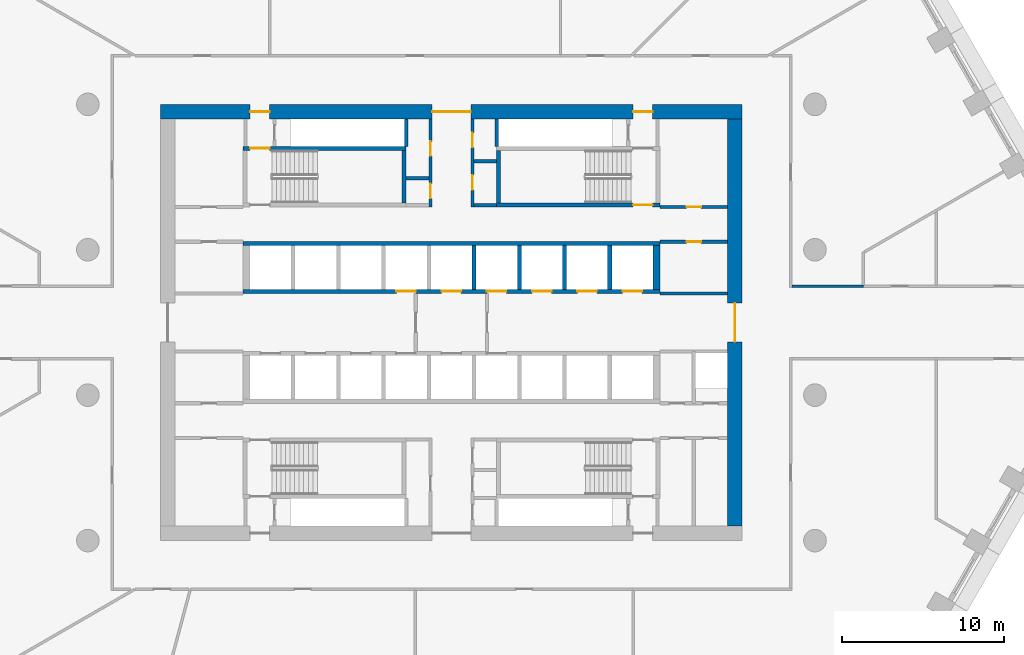
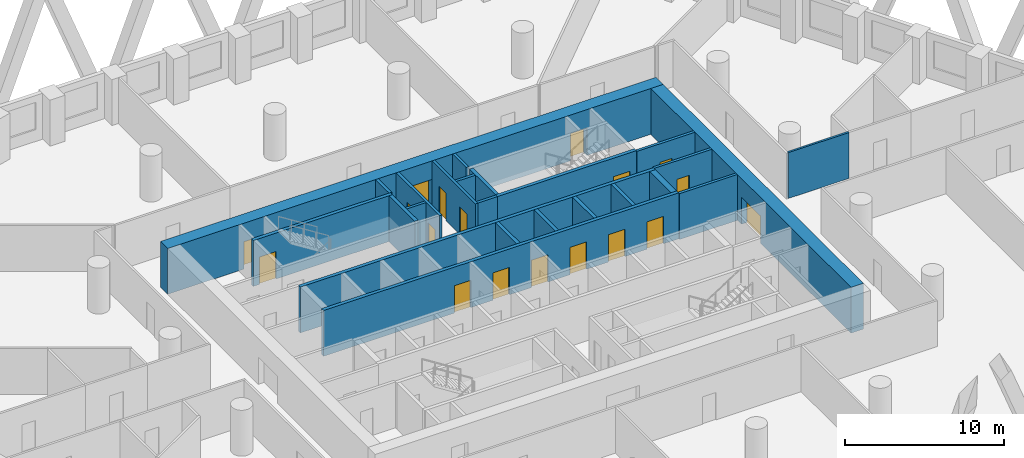
# One storey, part 6 of 18: 24 walls, 18 doors, 18 openings.
"""IFC4 building model written with IfcOpenShell, lengths in metres."""

from ifc_helpers import new_model, si_unit, direction, frame, frame_2d, origin, place, context, subcontext, project, spatial, polyline, rectangle, outline, extrude, material, layer, layer_set, type_object, element, fill, save


model = new_model("IFC4")

# Units and contexts
model_context = context("Model", 3, precision=1e-05, world=origin(), true_north=direction((0.0, 1.0)))
body_context = subcontext(model_context, "Body", "Model", "MODEL_VIEW")
ifc_project = project(units=[si_unit("LENGTHUNIT", "METRE"), si_unit("AREAUNIT", "SQUARE_METRE"), si_unit("VOLUMEUNIT", "CUBIC_METRE"), si_unit("PLANEANGLEUNIT", "RADIAN"), si_unit("MASSUNIT", "GRAM", prefix="KILO")], contexts=[model_context])

# Site, building, storey
site_placement = place(None, origin())
site = spatial("IfcSite", under=ifc_project, at=site_placement, CompositionType="ELEMENT")
building_placement = place(site_placement, origin())
building = spatial("IfcBuilding", under=site, at=building_placement, Name="Dhurran Vertical Campus", CompositionType="ELEMENT")
storey_placement = place(building_placement, frame((0.0, 0.0, 30.0)))
storey = spatial("IfcBuildingStorey", under=building, at=storey_placement, Name="L06", CompositionType="ELEMENT", Elevation=30.0)

# Wall, openings, doors
ifc_material_1 = material(Name="Concrete C60/75", Category="concrete")
ifc_layer_1 = layer(ifc_material_1, 0.89990234375)
ifc_layer_set_1 = layer_set([ifc_layer_1], Name="Concrete C60/75")
wall_type_1 = type_object("IfcWallType", Name="co-CORE-WALL-C0-900", PredefinedType="SHEAR", material=ifc_layer_set_1)
wall_1_placement = place(storey_placement, frame((-18.0, 13.050048828125, 0.0), z_axis=(0.0, 0.0, 1.0), x_axis=(1.0, 0.0, 0.0)))
wall_1 = element("IfcWall", 1, at=wall_1_placement, inside=storey, type_object=wall_type_1, Name="Core wall N L06", PredefinedType="SHEAR", context=body_context, shape_type="SweptSolid", body=[
    extrude(rectangle(XDim=36.0, YDim=0.89990234375, at=frame_2d((18.0, 0.0))), origin(), (0.0, 0.0, 1.0), 3.52490234375),
])
opening_1_placement = place(wall_1_placement, frame((16.800048828125, 0.0, 0.0)))
opening_1 = element("IfcOpeningElement", 2, at=opening_1_placement, cuts=wall_1, Name="Opening CV1", PredefinedType="OPENING", context=body_context, shape_type="SweptSolid", body=[
    extrude(rectangle(XDim=2.39990234375, YDim=2.10009765625, at=frame_2d((1.199951171875, 1.050048828125))), frame((0.0, 0.4599609375, 0.0), z_axis=(0.0, -1.0, 0.0), x_axis=(1.0, 0.0, 0.0)), (0.0, 0.0, 1.0), 0.919921875),
])
opening_2_placement = place(wall_1_placement, frame((5.550048828125, 0.0, 0.0)))
opening_2 = element("IfcOpeningElement", 3, at=opening_2_placement, cuts=wall_1, Name="Opening XD1", PredefinedType="OPENING", context=body_context, shape_type="SweptSolid", body=[
    extrude(rectangle(XDim=1.199951171875, YDim=2.10009765625, at=frame_2d((0.60009765625, 1.050048828125))), frame((0.0, 0.4599609375, 0.0), z_axis=(0.0, -1.0, 0.0), x_axis=(1.0, 0.0, 0.0)), (0.0, 0.0, 1.0), 0.919921875),
])
opening_3_placement = place(wall_1_placement, frame((29.25, 0.0, 0.0)))
opening_3 = element("IfcOpeningElement", 4, at=opening_3_placement, cuts=wall_1, Name="Opening XD2", PredefinedType="OPENING", context=body_context, shape_type="SweptSolid", body=[
    extrude(rectangle(XDim=1.199951171875, YDim=2.10009765625, at=frame_2d((0.60009765625, 1.050048828125))), frame((0.0, 0.4599609375, 0.0), z_axis=(0.0, -1.0, 0.0), x_axis=(1.0, 0.0, 0.0)), (0.0, 0.0, 1.0), 0.919921875),
])
ifc_material_2 = material(Name="Fire-rated glazed door set")
door_type_1 = type_object("IfcDoorType", Name="co-D-LOBBY 2400x2100", OperationType="DOUBLE_DOOR_DOUBLE_SWING", PredefinedType="DOOR", material=ifc_material_2)
door_1_placement = place(opening_1_placement, origin())
door_1 = element("IfcDoor", 5, at=door_1_placement, inside=storey, type_object=door_type_1, Name="Core vestibule door N L06", OperationType="DOUBLE_DOOR_DOUBLE_SWING", OverallHeight=2.10009765625, OverallWidth=2.39990234375, PredefinedType="DOOR", context=body_context, shape_type="SweptSolid", body=[
    extrude(rectangle(XDim=2.39990234375, YDim=2.10009765625, at=frame_2d((1.199951171875, 1.050048828125))), frame((0.0, 0.02490234375, 0.0), z_axis=(0.0, -1.0, 0.0), x_axis=(1.0, 0.0, 0.0)), (0.0, 0.0, 1.0), 0.050048828125),
])
fill(opening_1, door_1)
ifc_material_3 = material(Name="Fire-rated steel door set", Category="steel")
door_type_2 = type_object("IfcDoorType", Name="co-D-STAIR-EXIT 1200x2100", OperationType="SINGLE_SWING_RIGHT", PredefinedType="DOOR", material=ifc_material_3)
door_2_placement = place(opening_2_placement, origin())
door_2 = element("IfcDoor", 6, at=door_2_placement, inside=storey, type_object=door_type_2, Name="Stair ST1 exit door L06", OperationType="SINGLE_SWING_RIGHT", OverallHeight=2.10009765625, OverallWidth=1.199951171875, PredefinedType="DOOR", context=body_context, shape_type="SweptSolid", body=[
    extrude(rectangle(XDim=1.199951171875, YDim=2.10009765625, at=frame_2d((0.60009765625, 1.050048828125))), frame((0.0, 0.02490234375, 0.0), z_axis=(0.0, -1.0, 0.0), x_axis=(1.0, 0.0, 0.0)), (0.0, 0.0, 1.0), 0.050048828125),
])
fill(opening_2, door_2)
door_3_placement = place(opening_3_placement, origin())
door_3 = element("IfcDoor", 7, at=door_3_placement, inside=storey, type_object=door_type_2, Name="Stair ST2 exit door L06", OperationType="SINGLE_SWING_RIGHT", OverallHeight=2.10009765625, OverallWidth=1.199951171875, PredefinedType="DOOR", context=body_context, shape_type="SweptSolid", body=[
    extrude(rectangle(XDim=1.199951171875, YDim=2.10009765625, at=frame_2d((0.60009765625, 1.050048828125))), frame((0.0, 0.02490234375, 0.0), z_axis=(0.0, -1.0, 0.0), x_axis=(1.0, 0.0, 0.0)), (0.0, 0.0, 1.0), 0.050048828125),
])
fill(opening_3, door_3)

# Wall, opening, door
wall_2_placement = place(storey_placement, frame((17.550048828125, -12.60009765625, 0.0), z_axis=(0.0, 0.0, 1.0), x_axis=(0.0, 1.0, 0.0)))
wall_2 = element("IfcWall", 8, at=wall_2_placement, inside=storey, type_object=wall_type_1, Name="Core wall E L06", PredefinedType="SHEAR", context=body_context, shape_type="SweptSolid", body=[
    extrude(rectangle(XDim=25.2001953125, YDim=0.89990234375, at=frame_2d((12.60009765625, 0.0))), origin(), (0.0, 0.0, 1.0), 3.52490234375),
])
opening_4_placement = place(wall_2_placement, frame((11.39990234375, 0.0, 0.0)))
opening_4 = element("IfcOpeningElement", 9, at=opening_4_placement, cuts=wall_2, Name="Opening CL2", PredefinedType="OPENING", context=body_context, shape_type="SweptSolid", body=[
    extrude(rectangle(XDim=2.39990234375, YDim=2.10009765625, at=frame_2d((1.199951171875, 1.050048828125))), frame((0.0, 0.4599609375, 0.0), z_axis=(0.0, -1.0, 0.0), x_axis=(1.0, 0.0, 0.0)), (0.0, 0.0, 1.0), 0.919921875),
])
door_4_placement = place(opening_4_placement, origin())
door_4 = element("IfcDoor", 10, at=door_4_placement, inside=storey, type_object=door_type_1, Name="Lift lobby door E L06", OperationType="DOUBLE_DOOR_DOUBLE_SWING", OverallHeight=2.10009765625, OverallWidth=2.39990234375, PredefinedType="DOOR", context=body_context, shape_type="SweptSolid", body=[
    extrude(rectangle(XDim=2.39990234375, YDim=2.10009765625, at=frame_2d((1.199951171875, 1.050048828125))), frame((0.0, 0.02490234375, 0.0), z_axis=(0.0, -1.0, 0.0), x_axis=(1.0, 0.0, 0.0)), (0.0, 0.0, 1.0), 0.050048828125),
])
fill(opening_4, door_4)

# Walls
ifc_material_4 = material(Name="Fire-rated masonry blockwork", Category="masonry")
ifc_layer_2 = layer(ifc_material_4, 0.199951171875)
ifc_layer_set_2 = layer_set([ifc_layer_2], Name="Fire-rated masonry blockwork")
wall_type_2 = type_object("IfcWallType", Name="co-FIRE-PARTITION-200", PredefinedType="PARTITIONING", material=ifc_layer_set_2)
for number, where, z_axis, x_axis, name in (
    (11, (-2.800048828125, 8.925048828125, 0.0), (0.0, 0.0, 1.0), (1.0, 0.0, 0.0), "Core partition sl-NW-cut0 L06"),
    (12, (1.39990234375, 7.25, 0.0), (0.0, 0.0, 1.0), (1.0, 0.0, 0.0), "Core partition sl-NE-S L06"),
    (13, (1.39990234375, 9.97509765625, 0.0), (0.0, 0.0, 1.0), (1.0, 0.0, 0.0), "Core partition sl-NE-cut0 L06"),
):
    element("IfcWall", number, at=place(storey_placement, frame(where, z_axis=z_axis, x_axis=x_axis)), inside=storey, type_object=wall_type_2, Name=name, PredefinedType="PARTITIONING", context=body_context, shape_type="SweptSolid", body=[
        extrude(rectangle(XDim=1.400146484375, YDim=0.199951171875, at=frame_2d((0.7001953125, 0.0))), origin(), (0.0, 0.0, 1.0), 3.52490234375),
    ])

# Wall, openings, doors
wall_3_placement = place(storey_placement, frame((-1.300048828125, 7.14990234375, 0.0), z_axis=(0.0, 0.0, 1.0), x_axis=(0.0, 1.0, 0.0)))
wall_3 = element("IfcWall", 14, at=wall_3_placement, inside=storey, type_object=wall_type_2, Name="Core partition vest-NW L06", PredefinedType="PARTITIONING", context=body_context, shape_type="SweptSolid", body=[
    extrude(rectangle(XDim=5.4501953125, YDim=0.199951171875, at=frame_2d((2.72509765625, 0.0))), origin(), (0.0, 0.0, 1.0), 3.52490234375),
])
opening_5_placement = place(wall_3_placement, frame((0.53759765625, 0.0, 0.0)))
opening_5 = element("IfcOpeningElement", 15, at=opening_5_placement, cuts=wall_3, Name="Opening T01-C5", PredefinedType="OPENING", context=body_context, shape_type="SweptSolid", body=[
    extrude(rectangle(XDim=0.89990234375, YDim=2.10009765625, at=frame_2d((0.449951171875, 1.050048828125))), frame((0.0, 0.10986328125, 0.0), z_axis=(0.0, -1.0, 0.0), x_axis=(1.0, 0.0, 0.0)), (0.0, 0.0, 1.0), 0.219970703125),
])
opening_6_placement = place(wall_3_placement, frame((3.16259765625, 0.0, 0.0)))
opening_6 = element("IfcOpeningElement", 16, at=opening_6_placement, cuts=wall_3, Name="Opening T01-C6", PredefinedType="OPENING", context=body_context, shape_type="SweptSolid", body=[
    extrude(rectangle(XDim=0.89990234375, YDim=2.10009765625, at=frame_2d((0.449951171875, 1.050048828125))), frame((0.0, 0.10986328125, 0.0), z_axis=(0.0, -1.0, 0.0), x_axis=(1.0, 0.0, 0.0)), (0.0, 0.0, 1.0), 0.219970703125),
])
ifc_material_5 = material(Name="Fire-rated timber door set", Category="wood")
door_type_3 = type_object("IfcDoorType", Name="co-D-ROOM 900x2100", OperationType="SINGLE_SWING_LEFT", PredefinedType="DOOR", material=ifc_material_5)
door_5_placement = place(opening_5_placement, origin())
door_5 = element("IfcDoor", 17, at=door_5_placement, inside=storey, type_object=door_type_3, Name="Cleaner's store door L06", OperationType="SINGLE_SWING_LEFT", OverallHeight=2.10009765625, OverallWidth=0.89990234375, PredefinedType="DOOR", context=body_context, shape_type="SweptSolid", body=[
    extrude(rectangle(XDim=0.89990234375, YDim=2.10009765625, at=frame_2d((0.449951171875, 1.050048828125))), frame((0.0, 0.02490234375, 0.0), z_axis=(0.0, -1.0, 0.0), x_axis=(1.0, 0.0, 0.0)), (0.0, 0.0, 1.0), 0.050048828125),
])
fill(opening_5, door_5)
door_6_placement = place(opening_6_placement, origin())
door_6 = element("IfcDoor", 18, at=door_6_placement, inside=storey, type_object=door_type_3, Name="Server room door L06", OperationType="SINGLE_SWING_LEFT", OverallHeight=2.10009765625, OverallWidth=0.89990234375, PredefinedType="DOOR", context=body_context, shape_type="SweptSolid", body=[
    extrude(rectangle(XDim=0.89990234375, YDim=2.10009765625, at=frame_2d((0.449951171875, 1.050048828125))), frame((0.0, 0.02490234375, 0.0), z_axis=(0.0, -1.0, 0.0), x_axis=(1.0, 0.0, 0.0)), (0.0, 0.0, 1.0), 0.050048828125),
])
fill(opening_6, door_6)

wall_4_placement = place(storey_placement, frame((1.300048828125, 7.14990234375, 0.0), z_axis=(0.0, 0.0, 1.0), x_axis=(0.0, 1.0, 0.0)))
wall_4 = element("IfcWall", 19, at=wall_4_placement, inside=storey, type_object=wall_type_2, Name="Core partition vest-NE L06", PredefinedType="PARTITIONING", context=body_context, shape_type="SweptSolid", body=[
    extrude(rectangle(XDim=5.4501953125, YDim=0.199951171875, at=frame_2d((2.72509765625, 0.0))), origin(), (0.0, 0.0, 1.0), 3.52490234375),
])
opening_7_placement = place(wall_4_placement, frame((1.0625, 0.0, 0.0)))
opening_7 = element("IfcOpeningElement", 20, at=opening_7_placement, cuts=wall_4, Name="Opening T01-C7", PredefinedType="OPENING", context=body_context, shape_type="SweptSolid", body=[
    extrude(rectangle(XDim=0.89990234375, YDim=2.10009765625, at=frame_2d((0.449951171875, 1.050048828125))), frame((0.0, 0.10986328125, 0.0), z_axis=(0.0, -1.0, 0.0), x_axis=(1.0, 0.0, 0.0)), (0.0, 0.0, 1.0), 0.219970703125),
])
opening_8_placement = place(wall_4_placement, frame((3.6875, 0.0, 0.0)))
opening_8 = element("IfcOpeningElement", 21, at=opening_8_placement, cuts=wall_4, Name="Opening T01-C8", PredefinedType="OPENING", context=body_context, shape_type="SweptSolid", body=[
    extrude(rectangle(XDim=0.89990234375, YDim=2.10009765625, at=frame_2d((0.449951171875, 1.050048828125))), frame((0.0, 0.10986328125, 0.0), z_axis=(0.0, -1.0, 0.0), x_axis=(1.0, 0.0, 0.0)), (0.0, 0.0, 1.0), 0.219970703125),
])
door_7_placement = place(opening_7_placement, origin())
door_7 = element("IfcDoor", 22, at=door_7_placement, inside=storey, type_object=door_type_3, Name="Print room door L06", OperationType="SINGLE_SWING_LEFT", OverallHeight=2.10009765625, OverallWidth=0.89990234375, PredefinedType="DOOR", context=body_context, shape_type="SweptSolid", body=[
    extrude(rectangle(XDim=0.89990234375, YDim=2.10009765625, at=frame_2d((0.449951171875, 1.050048828125))), frame((0.0, 0.02490234375, 0.0), z_axis=(0.0, -1.0, 0.0), x_axis=(1.0, 0.0, 0.0)), (0.0, 0.0, 1.0), 0.050048828125),
])
fill(opening_7, door_7)
door_8_placement = place(opening_8_placement, origin())
door_8 = element("IfcDoor", 23, at=door_8_placement, inside=storey, type_object=door_type_3, Name="Electrical riser door L06", OperationType="SINGLE_SWING_LEFT", OverallHeight=2.10009765625, OverallWidth=0.89990234375, PredefinedType="DOOR", context=body_context, shape_type="SweptSolid", body=[
    extrude(rectangle(XDim=0.89990234375, YDim=2.10009765625, at=frame_2d((0.449951171875, 1.050048828125))), frame((0.0, 0.02490234375, 0.0), z_axis=(0.0, -1.0, 0.0), x_axis=(1.0, 0.0, 0.0)), (0.0, 0.0, 1.0), 0.050048828125),
])
fill(opening_8, door_8)

# Wall, opening, door
wall_5_placement = place(storey_placement, frame((12.89990234375, 7.14990234375, 0.0), z_axis=(0.0, 0.0, 1.0), x_axis=(1.0, 0.0, 0.0)))
wall_5 = element("IfcWall", 24, at=wall_5_placement, inside=storey, type_object=wall_type_2, Name="Core partition en-NE-w L06", PredefinedType="PARTITIONING", context=body_context, shape_type="SweptSolid", body=[
    extrude(rectangle(XDim=4.2001953125, YDim=0.199951171875, at=frame_2d((2.10009765625, 0.0))), origin(), (0.0, 0.0, 1.0), 3.52490234375),
])
opening_9_placement = place(wall_5_placement, frame((1.64990234375, 0.0, 0.0)))
opening_9 = element("IfcOpeningElement", 25, at=opening_9_placement, cuts=wall_5, Name="Opening T01-C15", PredefinedType="OPENING", context=body_context, shape_type="SweptSolid", body=[
    extrude(rectangle(XDim=0.89990234375, YDim=2.10009765625, at=frame_2d((0.449951171875, 1.050048828125))), frame((0.0, 0.10986328125, 0.0), z_axis=(0.0, -1.0, 0.0), x_axis=(1.0, 0.0, 0.0)), (0.0, 0.0, 1.0), 0.219970703125),
])
door_9_placement = place(opening_9_placement, origin())
door_9 = element("IfcDoor", 26, at=door_9_placement, inside=storey, type_object=door_type_3, Name="Plant room door L06", OperationType="SINGLE_SWING_LEFT", OverallHeight=2.10009765625, OverallWidth=0.89990234375, PredefinedType="DOOR", context=body_context, shape_type="SweptSolid", body=[
    extrude(rectangle(XDim=0.89990234375, YDim=2.10009765625, at=frame_2d((0.449951171875, 1.050048828125))), frame((0.0, 0.02490234375, 0.0), z_axis=(0.0, -1.0, 0.0), x_axis=(1.0, 0.0, 0.0)), (0.0, 0.0, 1.0), 0.050048828125),
])
fill(opening_9, door_9)

wall_6_placement = place(storey_placement, frame((12.89990234375, 5.0, 0.0), z_axis=(0.0, 0.0, 1.0), x_axis=(1.0, 0.0, 0.0)))
wall_6 = element("IfcWall", 27, at=wall_6_placement, inside=storey, type_object=wall_type_2, Name="Core partition es-NE-w L06", PredefinedType="PARTITIONING", context=body_context, shape_type="SweptSolid", body=[
    extrude(rectangle(XDim=4.2001953125, YDim=0.199951171875, at=frame_2d((2.10009765625, 0.0))), origin(), (0.0, 0.0, 1.0), 3.52490234375),
])
opening_10_placement = place(wall_6_placement, frame((1.64990234375, 0.0, 0.0)))
opening_10 = element("IfcOpeningElement", 28, at=opening_10_placement, cuts=wall_6, Name="Opening T01-C16", PredefinedType="OPENING", context=body_context, shape_type="SweptSolid", body=[
    extrude(rectangle(XDim=0.89990234375, YDim=2.10009765625, at=frame_2d((0.449951171875, 1.050048828125))), frame((0.0, 0.10986328125, 0.0), z_axis=(0.0, -1.0, 0.0), x_axis=(1.0, 0.0, 0.0)), (0.0, 0.0, 1.0), 0.219970703125),
])
door_10_placement = place(opening_10_placement, origin())
door_10 = element("IfcDoor", 29, at=door_10_placement, inside=storey, type_object=door_type_3, Name="Store door L06", OperationType="SINGLE_SWING_LEFT", OverallHeight=2.10009765625, OverallWidth=0.89990234375, PredefinedType="DOOR", context=body_context, shape_type="SweptSolid", body=[
    extrude(rectangle(XDim=0.89990234375, YDim=2.10009765625, at=frame_2d((0.449951171875, 1.050048828125))), frame((0.0, 0.02490234375, 0.0), z_axis=(0.0, -1.0, 0.0), x_axis=(1.0, 0.0, 0.0)), (0.0, 0.0, 1.0), 0.050048828125),
])
fill(opening_10, door_10)

# Walls
wall_7_placement = place(storey_placement, frame((12.89990234375, 1.800048828125, 0.0), z_axis=(0.0, 0.0, 1.0), x_axis=(1.0, 0.0, 0.0)))
element("IfcWall", 30, at=wall_7_placement, inside=storey, type_object=wall_type_2, Name="Core partition es-NE-l L06", PredefinedType="PARTITIONING", context=body_context, shape_type="SweptSolid", body=[
    extrude(rectangle(XDim=4.2001953125, YDim=0.199951171875, at=frame_2d((2.10009765625, 0.0))), origin(), (0.0, 0.0, 1.0), 3.52490234375),
])
for number, where, z_axis, x_axis, name in (
    (31, (-2.800048828125, 10.90087890625, 0.0), (0.0, 0.0, 1.0), (0.0, 1.0, 0.0), "Riser enclosure wall L06"),
    (32, (2.800048828125, 10.90087890625, 0.0), (0.0, 0.0, 1.0), (0.0, 1.0, 0.0), "Riser enclosure wall L06"),
):
    element("IfcWall", number, at=place(storey_placement, frame(where, z_axis=z_axis, x_axis=x_axis)), inside=storey, type_object=wall_type_2, Name=name, PredefinedType="PARTITIONING", context=body_context, shape_type="SweptSolid", body=[
        extrude(rectangle(XDim=1.6982421875, YDim=0.199951171875, at=frame_2d((0.84912109375, 0.0))), origin(), (0.0, 0.0, 1.0), 3.52490234375),
    ])

# Wall, openings, doors
ifc_material_6 = material(Name="Concrete C50/60", Category="concrete")
ifc_layer_3 = layer(ifc_material_6, 0.25)
ifc_layer_set_3 = layer_set([ifc_layer_3], Name="Concrete C50/60")
wall_type_3 = type_object("IfcWallType", Name="co-SHAFT-FRONT-250", PredefinedType="SHEAR", material=ifc_layer_set_3)
wall_8_placement = place(storey_placement, frame((-12.89990234375, 1.925048828125, 0.0), z_axis=(0.0, 0.0, 1.0), x_axis=(1.0, 0.0, 0.0)))
wall_8 = element("IfcWall", 33, at=wall_8_placement, inside=storey, type_object=wall_type_3, Name="Lift landing wall N L06", PredefinedType="SHEAR", context=body_context, shape_type="SweptSolid", body=[
    extrude(rectangle(XDim=25.7998046875, YDim=0.25, at=frame_2d((12.89990234375, 0.0))), origin(), (0.0, 0.0, 1.0), 3.52490234375),
])
opening_11_placement = place(wall_8_placement, frame((9.5, 0.0, 0.0)))
opening_11 = element("IfcOpeningElement", 34, at=opening_11_placement, cuts=wall_8, Name="Opening LD", PredefinedType="OPENING", context=body_context, shape_type="SweptSolid", body=[
    extrude(rectangle(XDim=1.199951171875, YDim=2.10009765625, at=frame_2d((0.60009765625, 1.050048828125))), frame((0.0, 0.135009765625, 0.0), z_axis=(0.0, -1.0, 0.0), x_axis=(1.0, 0.0, 0.0)), (0.0, 0.0, 1.0), 0.27001953125),
])
opening_12_placement = place(wall_8_placement, frame((12.300048828125, 0.0, 0.0)))
opening_12 = element("IfcOpeningElement", 35, at=opening_12_placement, cuts=wall_8, Name="Opening LD", PredefinedType="OPENING", context=body_context, shape_type="SweptSolid", body=[
    extrude(rectangle(XDim=1.199951171875, YDim=2.10009765625, at=frame_2d((0.60009765625, 1.050048828125))), frame((0.0, 0.135009765625, 0.0), z_axis=(0.0, -1.0, 0.0), x_axis=(1.0, 0.0, 0.0)), (0.0, 0.0, 1.0), 0.27001953125),
])
opening_13_placement = place(wall_8_placement, frame((15.10009765625, 0.0, 0.0)))
opening_13 = element("IfcOpeningElement", 36, at=opening_13_placement, cuts=wall_8, Name="Opening LD", PredefinedType="OPENING", context=body_context, shape_type="SweptSolid", body=[
    extrude(rectangle(XDim=1.199951171875, YDim=2.10009765625, at=frame_2d((0.60009765625, 1.050048828125))), frame((0.0, 0.135009765625, 0.0), z_axis=(0.0, -1.0, 0.0), x_axis=(1.0, 0.0, 0.0)), (0.0, 0.0, 1.0), 0.27001953125),
])
opening_14_placement = place(wall_8_placement, frame((17.89990234375, 0.0, 0.0)))
opening_14 = element("IfcOpeningElement", 37, at=opening_14_placement, cuts=wall_8, Name="Opening LD", PredefinedType="OPENING", context=body_context, shape_type="SweptSolid", body=[
    extrude(rectangle(XDim=1.199951171875, YDim=2.10009765625, at=frame_2d((0.60009765625, 1.050048828125))), frame((0.0, 0.135009765625, 0.0), z_axis=(0.0, -1.0, 0.0), x_axis=(1.0, 0.0, 0.0)), (0.0, 0.0, 1.0), 0.27001953125),
])
opening_15_placement = place(wall_8_placement, frame((20.699951171875, 0.0, 0.0)))
opening_15 = element("IfcOpeningElement", 38, at=opening_15_placement, cuts=wall_8, Name="Opening LD", PredefinedType="OPENING", context=body_context, shape_type="SweptSolid", body=[
    extrude(rectangle(XDim=1.199951171875, YDim=2.10009765625, at=frame_2d((0.60009765625, 1.050048828125))), frame((0.0, 0.135009765625, 0.0), z_axis=(0.0, -1.0, 0.0), x_axis=(1.0, 0.0, 0.0)), (0.0, 0.0, 1.0), 0.27001953125),
])
opening_16_placement = place(wall_8_placement, frame((23.5, 0.0, 0.0)))
opening_16 = element("IfcOpeningElement", 39, at=opening_16_placement, cuts=wall_8, Name="Opening LD", PredefinedType="OPENING", context=body_context, shape_type="SweptSolid", body=[
    extrude(rectangle(XDim=1.199951171875, YDim=2.10009765625, at=frame_2d((0.60009765625, 1.050048828125))), frame((0.0, 0.135009765625, 0.0), z_axis=(0.0, -1.0, 0.0), x_axis=(1.0, 0.0, 0.0)), (0.0, 0.0, 1.0), 0.27001953125),
])
ifc_material_7 = material(Name="Stainless steel landing door", Category="steel")
door_type_4 = type_object("IfcDoorType", Name="co-D-LANDING 1200x2100", OperationType="DOUBLE_DOOR_SLIDING", PredefinedType="DOOR", material=ifc_material_7)
door_11_placement = place(opening_11_placement, origin())
door_11 = element("IfcDoor", 40, at=door_11_placement, inside=storey, type_object=door_type_4, Name="Landing door LR1 L06", OperationType="DOUBLE_DOOR_SLIDING", OverallHeight=2.10009765625, OverallWidth=1.199951171875, PredefinedType="DOOR", context=body_context, shape_type="SweptSolid", body=[
    extrude(rectangle(XDim=1.199951171875, YDim=2.10009765625, at=frame_2d((0.60009765625, 1.050048828125))), frame((0.0, 0.02490234375, 0.0), z_axis=(0.0, -1.0, 0.0), x_axis=(1.0, 0.0, 0.0)), (0.0, 0.0, 1.0), 0.050048828125),
])
fill(opening_11, door_11)
door_12_placement = place(opening_12_placement, origin())
door_12 = element("IfcDoor", 41, at=door_12_placement, inside=storey, type_object=door_type_4, Name="Landing door FF1 L06", OperationType="DOUBLE_DOOR_SLIDING", OverallHeight=2.10009765625, OverallWidth=1.199951171875, PredefinedType="DOOR", context=body_context, shape_type="SweptSolid", body=[
    extrude(rectangle(XDim=1.199951171875, YDim=2.10009765625, at=frame_2d((0.60009765625, 1.050048828125))), frame((0.0, 0.02490234375, 0.0), z_axis=(0.0, -1.0, 0.0), x_axis=(1.0, 0.0, 0.0)), (0.0, 0.0, 1.0), 0.050048828125),
])
fill(opening_12, door_12)
door_13_placement = place(opening_13_placement, origin())
door_13 = element("IfcDoor", 42, at=door_13_placement, inside=storey, type_object=door_type_4, Name="Landing door LR2 L06", OperationType="DOUBLE_DOOR_SLIDING", OverallHeight=2.10009765625, OverallWidth=1.199951171875, PredefinedType="DOOR", context=body_context, shape_type="SweptSolid", body=[
    extrude(rectangle(XDim=1.199951171875, YDim=2.10009765625, at=frame_2d((0.60009765625, 1.050048828125))), frame((0.0, 0.02490234375, 0.0), z_axis=(0.0, -1.0, 0.0), x_axis=(1.0, 0.0, 0.0)), (0.0, 0.0, 1.0), 0.050048828125),
])
fill(opening_13, door_13)
door_14_placement = place(opening_14_placement, origin())
door_14 = element("IfcDoor", 43, at=door_14_placement, inside=storey, type_object=door_type_4, Name="Landing door LR3 L06", OperationType="DOUBLE_DOOR_SLIDING", OverallHeight=2.10009765625, OverallWidth=1.199951171875, PredefinedType="DOOR", context=body_context, shape_type="SweptSolid", body=[
    extrude(rectangle(XDim=1.199951171875, YDim=2.10009765625, at=frame_2d((0.60009765625, 1.050048828125))), frame((0.0, 0.02490234375, 0.0), z_axis=(0.0, -1.0, 0.0), x_axis=(1.0, 0.0, 0.0)), (0.0, 0.0, 1.0), 0.050048828125),
])
fill(opening_14, door_14)
door_15_placement = place(opening_15_placement, origin())
door_15 = element("IfcDoor", 44, at=door_15_placement, inside=storey, type_object=door_type_4, Name="Landing door LR4 L06", OperationType="DOUBLE_DOOR_SLIDING", OverallHeight=2.10009765625, OverallWidth=1.199951171875, PredefinedType="DOOR", context=body_context, shape_type="SweptSolid", body=[
    extrude(rectangle(XDim=1.199951171875, YDim=2.10009765625, at=frame_2d((0.60009765625, 1.050048828125))), frame((0.0, 0.02490234375, 0.0), z_axis=(0.0, -1.0, 0.0), x_axis=(1.0, 0.0, 0.0)), (0.0, 0.0, 1.0), 0.050048828125),
])
fill(opening_15, door_15)
door_16_placement = place(opening_16_placement, origin())
door_16 = element("IfcDoor", 45, at=door_16_placement, inside=storey, type_object=door_type_4, Name="Landing door SV2 L06", OperationType="DOUBLE_DOOR_SLIDING", OverallHeight=2.10009765625, OverallWidth=1.199951171875, PredefinedType="DOOR", context=body_context, shape_type="SweptSolid", body=[
    extrude(rectangle(XDim=1.199951171875, YDim=2.10009765625, at=frame_2d((0.60009765625, 1.050048828125))), frame((0.0, 0.02490234375, 0.0), z_axis=(0.0, -1.0, 0.0), x_axis=(1.0, 0.0, 0.0)), (0.0, 0.0, 1.0), 0.050048828125),
])
fill(opening_16, door_16)

# Walls
ifc_material_8 = material(Name="Concrete C50/60", Category="concrete")
ifc_layer_4 = layer(ifc_material_8, 0.25)
ifc_layer_set_4 = layer_set([ifc_layer_4], Name="Concrete C50/60")
wall_type_4 = type_object("IfcWallType", Name="co-SHAFT-MASS-250", PredefinedType="SHEAR", material=ifc_layer_set_4)
wall_9_placement = place(storey_placement, origin())
element("IfcWall", 46, at=wall_9_placement, inside=storey, type_object=wall_type_4, Name="Lift shaft wall N L06 1", PredefinedType="SHEAR", context=body_context, shape_type="SweptSolid", body=[
    extrude(outline(polyline([(-12.89990234375, 4.75), (12.89990234375, 4.75), (12.89990234375, 5.0), (-12.89990234375, 5.0), (-12.89990234375, 4.75)])), origin(), (0.0, 0.0, 1.0), 3.52490234375),
])
wall_10_placement = place(storey_placement, origin())
element("IfcWall", 47, at=wall_10_placement, inside=storey, type_object=wall_type_4, Name="Lift shaft wall N L06 7", PredefinedType="SHEAR", context=body_context, shape_type="SweptSolid", body=[
    extrude(outline(polyline([(1.27490234375, 2.050048828125), (1.52490234375, 2.050048828125), (1.52490234375, 4.75), (1.27490234375, 4.75), (1.27490234375, 2.050048828125)])), origin(), (0.0, 0.0, 1.0), 3.52490234375),
])
wall_11_placement = place(storey_placement, origin())
element("IfcWall", 48, at=wall_11_placement, inside=storey, type_object=wall_type_4, Name="Lift shaft wall N L06 8", PredefinedType="SHEAR", context=body_context, shape_type="SweptSolid", body=[
    extrude(outline(polyline([(4.074951171875, 2.050048828125), (4.324951171875, 2.050048828125), (4.324951171875, 4.75), (4.074951171875, 4.75), (4.074951171875, 2.050048828125)])), origin(), (0.0, 0.0, 1.0), 3.52490234375),
])
wall_12_placement = place(storey_placement, origin())
element("IfcWall", 49, at=wall_12_placement, inside=storey, type_object=wall_type_4, Name="Lift shaft wall N L06 9", PredefinedType="SHEAR", context=body_context, shape_type="SweptSolid", body=[
    extrude(outline(polyline([(6.875, 2.050048828125), (7.125, 2.050048828125), (7.125, 4.75), (6.875, 4.75), (6.875, 2.050048828125)])), origin(), (0.0, 0.0, 1.0), 3.52490234375),
])
wall_13_placement = place(storey_placement, origin())
element("IfcWall", 50, at=wall_13_placement, inside=storey, type_object=wall_type_4, Name="Lift shaft wall N L06 10", PredefinedType="SHEAR", context=body_context, shape_type="SweptSolid", body=[
    extrude(outline(polyline([(9.675048828125, 2.050048828125), (9.925048828125, 2.050048828125), (9.925048828125, 4.75), (9.675048828125, 4.75), (9.675048828125, 2.050048828125)])), origin(), (0.0, 0.0, 1.0), 3.52490234375),
])
wall_14_placement = place(storey_placement, origin())
element("IfcWall", 51, at=wall_14_placement, inside=storey, type_object=wall_type_4, Name="Lift shaft wall N L06 11", PredefinedType="SHEAR", context=body_context, shape_type="SweptSolid", body=[
    extrude(outline(polyline([(12.47509765625, 2.050048828125), (12.89990234375, 2.050048828125), (12.89990234375, 4.75), (12.47509765625, 4.75), (12.47509765625, 2.050048828125)])), origin(), (0.0, 0.0, 1.0), 3.52490234375),
])

# Wall, opening, door
ifc_material_9 = material(Name="Concrete C40/50", Category="concrete")
ifc_layer_5 = layer(ifc_material_9, 0.25)
ifc_layer_set_5 = layer_set([ifc_layer_5], Name="Concrete C40/50")
wall_type_5 = type_object("IfcWallType", Name="co-STAIR-WALL-250", PredefinedType="SHEAR", material=ifc_layer_set_5)
wall_15_placement = place(storey_placement, frame((-12.89990234375, 10.77490234375, 0.0), z_axis=(0.0, 0.0, 1.0), x_axis=(1.0, 0.0, 0.0)))
wall_15 = element("IfcWall", 52, at=wall_15_placement, inside=storey, type_object=wall_type_5, Name="Stair ST1 enclosure wall L06", PredefinedType="SHEAR", context=body_context, shape_type="SweptSolid", body=[
    extrude(rectangle(XDim=10.099853515625, YDim=0.25, at=frame_2d((5.0498046875, 0.0))), origin(), (0.0, 0.0, 1.0), 3.52490234375),
])
opening_17_placement = place(wall_15_placement, frame((0.449951171875, 0.0, 0.0)))
opening_17 = element("IfcOpeningElement", 53, at=opening_17_placement, cuts=wall_15, Name="Opening XS1", PredefinedType="OPENING", context=body_context, shape_type="SweptSolid", body=[
    extrude(rectangle(XDim=1.199951171875, YDim=2.10009765625, at=frame_2d((0.60009765625, 1.050048828125))), frame((0.0, 0.135009765625, 0.0), z_axis=(0.0, -1.0, 0.0), x_axis=(1.0, 0.0, 0.0)), (0.0, 0.0, 1.0), 0.27001953125),
])
door_17_placement = place(opening_17_placement, origin())
door_17 = element("IfcDoor", 54, at=door_17_placement, inside=storey, type_object=door_type_2, Name="Stair ST1 discharge door L06", OperationType="SINGLE_SWING_RIGHT", OverallHeight=2.10009765625, OverallWidth=1.199951171875, PredefinedType="DOOR", context=body_context, shape_type="SweptSolid", body=[
    extrude(rectangle(XDim=1.199951171875, YDim=2.10009765625, at=frame_2d((0.60009765625, 1.050048828125))), frame((0.0, 0.02490234375, 0.0), z_axis=(0.0, -1.0, 0.0), x_axis=(1.0, 0.0, 0.0)), (0.0, 0.0, 1.0), 0.050048828125),
])
fill(opening_17, door_17)

# Wall
wall_16_placement = place(storey_placement, frame((-2.925048828125, 7.39990234375, 0.0), z_axis=(0.0, 0.0, 1.0), x_axis=(0.0, 1.0, 0.0)))
element("IfcWall", 55, at=wall_16_placement, inside=storey, type_object=wall_type_5, Name="Stair ST1 enclosure wall L06", PredefinedType="SHEAR", context=body_context, shape_type="SweptSolid", body=[
    extrude(rectangle(XDim=3.25, YDim=0.25, at=frame_2d((1.625, 0.0))), origin(), (0.0, 0.0, 1.0), 3.52490234375),
])

# Wall, opening, door
wall_17_placement = place(storey_placement, frame((2.800048828125, 7.27490234375, 0.0), z_axis=(0.0, 0.0, 1.0), x_axis=(1.0, 0.0, 0.0)))
wall_17 = element("IfcWall", 56, at=wall_17_placement, inside=storey, type_object=wall_type_5, Name="Stair ST2 enclosure wall L06", PredefinedType="SHEAR", context=body_context, shape_type="SweptSolid", body=[
    extrude(rectangle(XDim=10.099853515625, YDim=0.25, at=frame_2d((5.0498046875, 0.0))), origin(), (0.0, 0.0, 1.0), 3.52490234375),
])
opening_18_placement = place(wall_17_placement, frame((8.449951171875, 0.0, 0.0)))
opening_18 = element("IfcOpeningElement", 57, at=opening_18_placement, cuts=wall_17, Name="Opening SD2", PredefinedType="OPENING", context=body_context, shape_type="SweptSolid", body=[
    extrude(rectangle(XDim=1.199951171875, YDim=2.10009765625, at=frame_2d((0.60009765625, 1.050048828125))), frame((0.0, 0.135009765625, 0.0), z_axis=(0.0, -1.0, 0.0), x_axis=(1.0, 0.0, 0.0)), (0.0, 0.0, 1.0), 0.27001953125),
])
ifc_material_10 = material(Name="Fire-rated steel door set", Category="steel")
door_type_5 = type_object("IfcDoorType", Name="co-D-STAIR 1200x2100", OperationType="SINGLE_SWING_LEFT", PredefinedType="DOOR", material=ifc_material_10)
door_18_placement = place(opening_18_placement, origin())
door_18 = element("IfcDoor", 58, at=door_18_placement, inside=storey, type_object=door_type_5, Name="Stair ST2 door L06", OperationType="SINGLE_SWING_LEFT", OverallHeight=2.10009765625, OverallWidth=1.199951171875, PredefinedType="DOOR", context=body_context, shape_type="SweptSolid", body=[
    extrude(rectangle(XDim=1.199951171875, YDim=2.10009765625, at=frame_2d((0.60009765625, 1.050048828125))), frame((0.0, 0.02490234375, 0.0), z_axis=(0.0, -1.0, 0.0), x_axis=(1.0, 0.0, 0.0)), (0.0, 0.0, 1.0), 0.050048828125),
])
fill(opening_18, door_18)

# Walls
wall_18_placement = place(storey_placement, frame((2.925048828125, 7.39990234375, 0.0), z_axis=(0.0, 0.0, 1.0), x_axis=(0.0, 1.0, 0.0)))
element("IfcWall", 59, at=wall_18_placement, inside=storey, type_object=wall_type_5, Name="Stair ST2 enclosure wall L06", PredefinedType="SHEAR", context=body_context, shape_type="SweptSolid", body=[
    extrude(rectangle(XDim=3.25, YDim=0.25, at=frame_2d((1.625, 0.0))), origin(), (0.0, 0.0, 1.0), 3.52490234375),
])
ifc_material_11 = material(Name="Gypsum board corridor wall on steel studs", Category="steel")
ifc_layer_6 = layer(ifc_material_11, 0.14990234375)
ifc_layer_set_6 = layer_set([ifc_layer_6], Name="Gypsum board corridor wall on steel studs")
wall_type_6 = type_object("IfcWallType", Name="fl-CW-150 corridor wall", PredefinedType="PARTITIONING", material=ifc_layer_set_6)
wall_19_placement = place(storey_placement, frame((21.074951171875, 2.25, 0.0), z_axis=(0.0, 0.0, 1.0), x_axis=(1.0, 0.0, 0.0)))
element("IfcWall", 60, at=wall_19_placement, inside=storey, type_object=wall_type_6, Name="Partition 06-40", PredefinedType="PARTITIONING", context=body_context, shape_type="SweptSolid", body=[
    extrude(rectangle(XDim=4.425048828125, YDim=0.14990234375, at=frame_2d((2.21240234375, 0.0))), origin(), (0.0, 0.0, 1.0), 3.52490234375),
])

save(model, "model.ifc")
